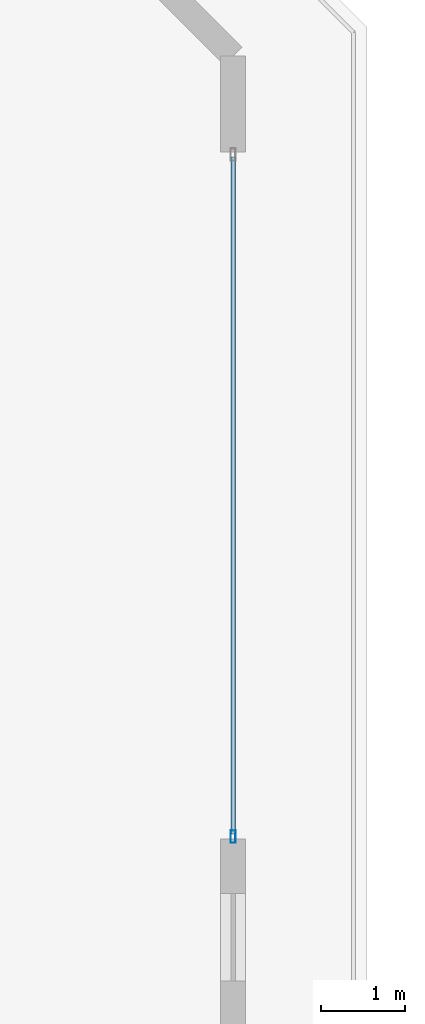
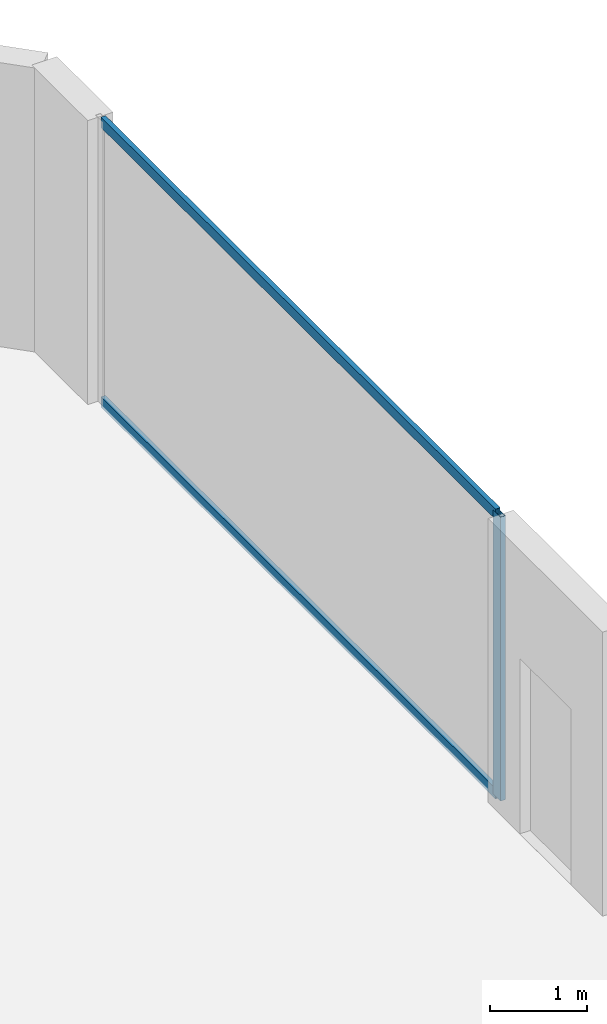
# One storey, part 15 of 26: 3 members, 1 element without a shape of its own.
"""IFC4 building model written with IfcOpenShell, lengths in metres."""

from ifc_helpers import new_model, si_unit, direction, frame, origin, origin_2d, place, context, subcontext, project, spatial, hollow_rectangle, extrude, material, layer, layer_set, material_profile, profile_set, type_object, element, aggregate, save


model = new_model("IFC4")

# Units and contexts
model_context = context("Model", 3, precision=1e-05, world=origin(), true_north=direction((0.0, 1.0)))
body_context = subcontext(model_context, "Body", "Model", "MODEL_VIEW")
ifc_project = project(units=[si_unit("LENGTHUNIT", "METRE"), si_unit("AREAUNIT", "SQUARE_METRE"), si_unit("VOLUMEUNIT", "CUBIC_METRE"), si_unit("PLANEANGLEUNIT", "RADIAN"), si_unit("MASSUNIT", "GRAM", prefix="KILO")], contexts=[model_context])

# Site, building, storey
site_placement = place(None, origin())
site = spatial("IfcSite", under=ifc_project, at=site_placement, CompositionType="ELEMENT")
building_placement = place(site_placement, origin())
building = spatial("IfcBuilding", under=site, at=building_placement, Name="Zuhayl Quay Hotel", CompositionType="ELEMENT")
storey_placement = place(building_placement, frame((0.0, 0.0, 301.050048828125)))
storey = spatial("IfcBuildingStorey", under=building, at=storey_placement, Name="Crown 2", CompositionType="ELEMENT", Elevation=301.050048828125)

# Curtain wall, members
ifc_material_1 = material(Name="Anodised Aluminium 6063-T6", Category="aluminium")
ifc_layer = layer(ifc_material_1, 0.159912109375, Name="Anodised Aluminium 6063-T6", Category="aluminium")
ifc_layer_set = layer_set([ifc_layer], Name="Anodised Aluminium 6063-T6")
curtain_wall_type = type_object("IfcCurtainWallType", Name="CW_SYS_CRN", PredefinedType="USERDEFINED", material=ifc_layer_set)
curtain_wall_placement = place(storey_placement, origin())
curtain_wall = element("IfcCurtainWall", 1, at=curtain_wall_placement, inside=storey, type_object=curtain_wall_type, Name="Crown 2 Curtain Wall ENV_CR2_E5_CW1", ObjectType="UNITISED CURTAIN WALL", PredefinedType="USERDEFINED")
ifc_material_2 = material(Name="Black-anodised aluminium 6063-T6", Category="aluminium")
ifc_material_profile_1 = material_profile(ifc_material_2, hollow_rectangle(XDim=0.06005859375, YDim=0.14990234375, WallThickness=0.00341796875, at=origin_2d()), Name="ALU150X60")
ifc_profile_set_1 = profile_set([ifc_material_profile_1], Name="Black-anodised aluminium 6063-T6")
member_type_1 = type_object("IfcMemberType", Name="MB_CW_MUL_150", PredefinedType="MULLION", material=ifc_profile_set_1)
member_1_placement = place(storey_placement, frame((16.800048828125, 27.705078125, 0.0), z_axis=(0.0, 0.0, 1.0), x_axis=(1.0, 0.0, 0.0)))
member_1 = element("IfcMember", 2, at=member_1_placement, type_object=member_type_1, Name="CW-CRN mullion 2", PredefinedType="MULLION", context=body_context, shape_type="SweptSolid", body=[
    extrude(hollow_rectangle(XDim=0.06005859375, YDim=0.14990234375, WallThickness=0.00341796875, at=origin_2d()), origin(), (0.0, 0.0, 1.0), 3.56005859375),
])
ifc_material_profile_2 = material_profile(ifc_material_2, hollow_rectangle(XDim=0.054931640625, YDim=0.1298828125, WallThickness=0.0029296875, at=origin_2d()), Name="ALU130X55")
ifc_profile_set_2 = profile_set([ifc_material_profile_2], Name="Black-anodised aluminium 6063-T6")
member_type_2 = type_object("IfcMemberType", Name="MB_CW_TRN_130", PredefinedType="USERDEFINED", material=ifc_profile_set_2)
member_2_placement = place(storey_placement, frame((16.800048828125, 35.840087890625, 0.02734375), z_axis=(0.0, -1.0, 0.0), x_axis=(1.0, 0.0, 0.0)))
member_2 = element("IfcMember", 3, at=member_2_placement, type_object=member_type_2, Name="CW-CRN transom 1.1", ObjectType="TRANSOM", PredefinedType="USERDEFINED", context=body_context, shape_type="SweptSolid", body=[
    extrude(hollow_rectangle(XDim=0.054931640625, YDim=0.1298828125, WallThickness=0.0029296875, at=origin_2d()), origin(), (0.0, 0.0, 1.0), 8.10498046875),
])
member_3_placement = place(storey_placement, frame((16.800048828125, 35.840087890625, 3.532470703125), z_axis=(0.0, -1.0, 0.0), x_axis=(1.0, 0.0, 0.0)))
member_3 = element("IfcMember", 4, at=member_3_placement, type_object=member_type_2, Name="CW-CRN transom 1.2", ObjectType="TRANSOM", PredefinedType="USERDEFINED", context=body_context, shape_type="SweptSolid", body=[
    extrude(hollow_rectangle(XDim=0.054931640625, YDim=0.1298828125, WallThickness=0.0029296875, at=origin_2d()), origin(), (0.0, 0.0, 1.0), 8.10498046875),
])
aggregate(curtain_wall, [member_1, member_2, member_3])

save(model, "model.ifc")
